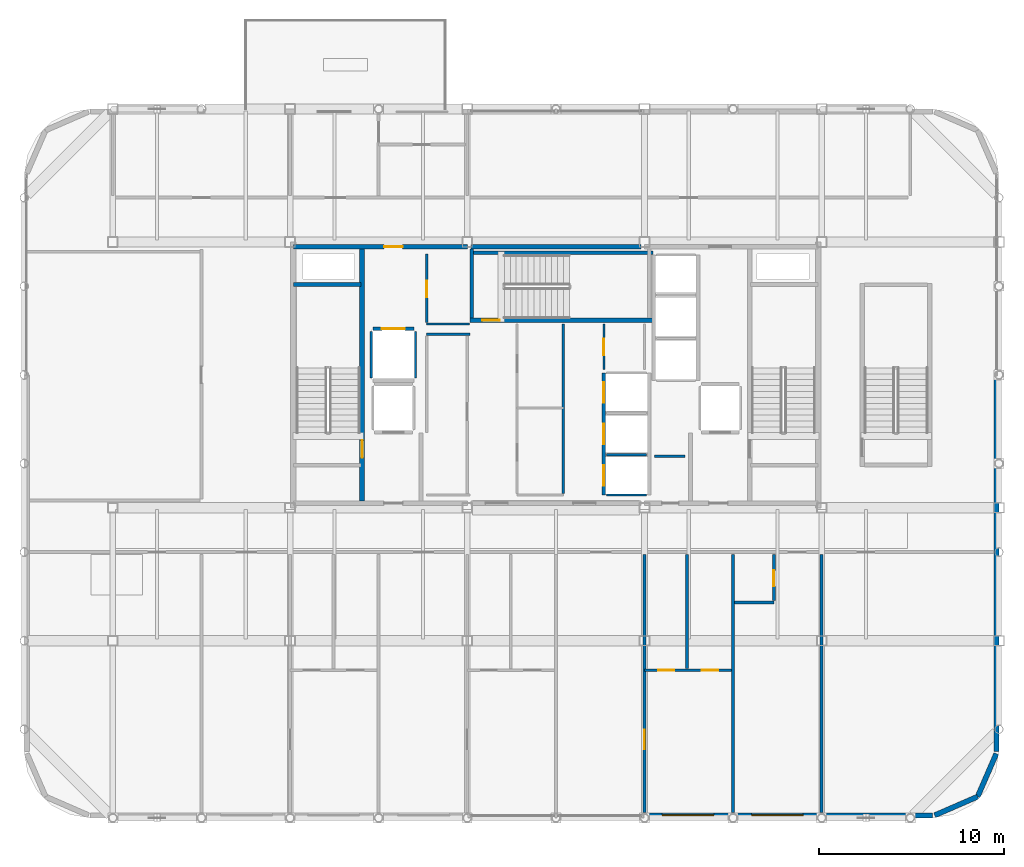
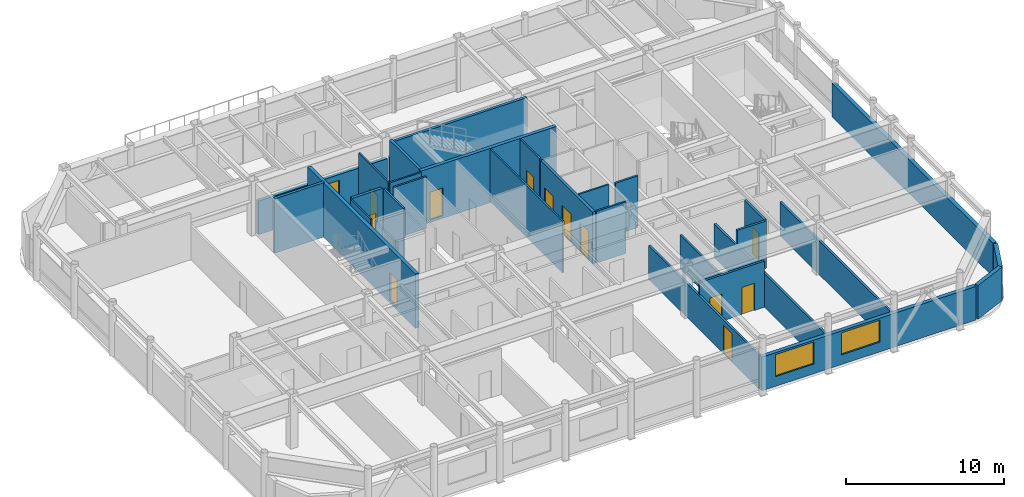
# One storey, part 18 of 23: 30 walls, 13 doors, 2 windows, 15 openings.
"""IFC4 building model written with IfcOpenShell, lengths in metres."""

from ifc_helpers import new_model, si_unit, direction, frame, frame_2d, origin, place, context, subcontext, project, spatial, rectangle, extrude, material, layer, layer_set, type_object, element, fill, save


model = new_model("IFC4")

# Units and contexts
model_context = context("Model", 3, precision=1e-05, world=origin(), true_north=direction((0.0, 1.0)))
body_context = subcontext(model_context, "Body", "Model", "MODEL_VIEW")
ifc_project = project(units=[si_unit("LENGTHUNIT", "METRE"), si_unit("AREAUNIT", "SQUARE_METRE"), si_unit("VOLUMEUNIT", "CUBIC_METRE"), si_unit("PLANEANGLEUNIT", "RADIAN"), si_unit("MASSUNIT", "GRAM", prefix="KILO")], contexts=[model_context])

# Site, building, storey
site_placement = place(None, origin())
site = spatial("IfcSite", under=ifc_project, at=site_placement, CompositionType="ELEMENT")
building_placement = place(site_placement, origin())
building = spatial("IfcBuilding", under=site, at=building_placement, Name="Kallvorn Hotel Tower", CompositionType="ELEMENT")
storey_placement = place(building_placement, frame((0.0, 0.0, 282.199951171875)))
storey = spatial("IfcBuildingStorey", under=building, at=storey_placement, Name="L70", CompositionType="ELEMENT", Elevation=282.199951171875)

# Wall, openings, doors
ifc_material_1 = material(Name="Fire-rated double-layer acoustic gypsum drywall EI 60")
ifc_layer_1 = layer(ifc_material_1, 0.159912109375)
ifc_layer_set_1 = layer_set([ifc_layer_1], Name="WL_DEMISE_160")
wall_type_1 = type_object("IfcWallType", Name="WL_DEMISE_160", PredefinedType="PARTITIONING", material=ifc_layer_set_1)
wall_1_placement = place(storey_placement, frame((4.800048828125, -16.0, 0.0), z_axis=(0.0, 0.0, 1.0), x_axis=(1.0, 0.0, 0.0)))
wall_1 = element("IfcWall", 1, at=wall_1_placement, inside=storey, type_object=wall_type_1, Name="L70 Suite 7003 Presidential Bedroom Partition", PredefinedType="PARTITIONING", context=body_context, shape_type="SweptSolid", body=[
    extrude(rectangle(XDim=4.719970703125, YDim=0.159912109375, at=frame_2d((2.35986328125, 0.0))), origin(), (0.0, 0.0, 1.0), 3.56005859375),
])
opening_1_placement = place(wall_1_placement, frame((0.75, 0.0, 0.0)))
opening_1 = element("IfcOpeningElement", 2, at=opening_1_placement, cuts=wall_1, Name="Opening BD-I", PredefinedType="OPENING", context=body_context, shape_type="SweptSolid", body=[
    extrude(rectangle(XDim=0.860107421875, YDim=2.10009765625, at=frame_2d((0.43017578125, 1.050048828125))), frame((0.0, 0.094970703125, 0.0), z_axis=(0.0, -1.0, 0.0), x_axis=(1.0, 0.0, 0.0)), (0.0, 0.0, 1.0), 0.18994140625),
])
opening_2_placement = place(wall_1_placement, frame((3.090087890625, 0.0, 0.0)))
opening_2 = element("IfcOpeningElement", 3, at=opening_2_placement, cuts=wall_1, Name="Opening SVD1", PredefinedType="OPENING", context=body_context, shape_type="SweptSolid", body=[
    extrude(rectangle(XDim=0.89990234375, YDim=2.10009765625, at=frame_2d((0.449951171875, 1.050048828125))), frame((0.0, 0.094970703125, 0.0), z_axis=(0.0, -1.0, 0.0), x_axis=(1.0, 0.0, 0.0)), (0.0, 0.0, 1.0), 0.18994140625),
])
ifc_material_2 = material(Name="Solid-core walnut veneer fire-rated timber door leaf", Category="wood")
door_type_1 = type_object("IfcDoorType", Name="DR_BATH_860x2100", OperationType="NOTDEFINED", PredefinedType="DOOR", material=ifc_material_2)
door_1_placement = place(opening_1_placement, origin())
door_1 = element("IfcDoor", 4, at=door_1_placement, inside=storey, type_object=door_type_1, Name="L70 Suite 7003 En-Suite Bathroom Door", OperationType="SINGLE_SWING_RIGHT", OverallHeight=2.10009765625, OverallWidth=0.860107421875, PredefinedType="DOOR", context=body_context, shape_type="SweptSolid", body=[
    extrude(rectangle(XDim=0.860107421875, YDim=2.10009765625, at=frame_2d((0.43017578125, 1.050048828125))), frame((0.0, 0.02490234375, 0.0), z_axis=(0.0, -1.0, 0.0), x_axis=(1.0, 0.0, 0.0)), (0.0, 0.0, 1.0), 0.050048828125),
])
fill(opening_1, door_1)
ifc_material_3 = material(Name="Galvanised painted steel fire-rated door assembly", Category="steel")
door_type_2 = type_object("IfcDoorType", Name="DR_SERV_900x2100", OperationType="NOTDEFINED", PredefinedType="DOOR", material=ifc_material_3)
door_2_placement = place(opening_2_placement, origin())
door_2 = element("IfcDoor", 5, at=door_2_placement, inside=storey, type_object=door_type_2, Name="L70 Suite 7003 Walk-In Dressing Closet Door", OperationType="SINGLE_SWING_LEFT", OverallHeight=2.10009765625, OverallWidth=0.89990234375, PredefinedType="DOOR", context=body_context, shape_type="SweptSolid", body=[
    extrude(rectangle(XDim=0.89990234375, YDim=2.10009765625, at=frame_2d((0.449951171875, 1.050048828125))), frame((0.0, 0.02490234375, 0.0), z_axis=(0.0, -1.0, 0.0), x_axis=(1.0, 0.0, 0.0)), (0.0, 0.0, 1.0), 0.050048828125),
])
fill(opening_2, door_2)

# Wall
wall_2_placement = place(storey_placement, frame((9.679931640625, -12.320068359375, 0.0), z_axis=(0.0, 0.0, 1.0), x_axis=(1.0, 0.0, 0.0)))
element("IfcWall", 6, at=wall_2_placement, inside=storey, type_object=wall_type_1, Name="L70 Suite 7004 Royal King Room Partition", PredefinedType="PARTITIONING", context=body_context, shape_type="SweptSolid", body=[
    extrude(rectangle(XDim=2.130126953125, YDim=0.159912109375, at=frame_2d((1.06494140625, 0.0))), origin(), (0.0, 0.0, 1.0), 3.64013671875),
])

# Wall, opening, door
wall_3_placement = place(storey_placement, frame((4.800048828125, -23.7099609375, 0.0), z_axis=(0.0, 0.0, 1.0), x_axis=(0.0, 1.0, 0.0)))
wall_3 = element("IfcWall", 7, at=wall_3_placement, inside=storey, type_object=wall_type_1, Name="L70 Suite 7003 Presidential Bedroom Partition", PredefinedType="PARTITIONING", context=body_context, shape_type="SweptSolid", body=[
    extrude(rectangle(XDim=13.989990234375, YDim=0.159912109375, at=frame_2d((6.9951171875, 0.0))), origin(), (0.0, 0.0, 1.0), 2.60009765625),
])
opening_3_placement = place(wall_3_placement, frame((3.43505859375, 0.0, 0.0)))
opening_3 = element("IfcOpeningElement", 8, at=opening_3_placement, cuts=wall_3, Name="Opening GD2", PredefinedType="OPENING", context=body_context, shape_type="SweptSolid", body=[
    extrude(rectangle(XDim=1.050048828125, YDim=2.199951171875, at=frame_2d((0.52490234375, 1.10009765625))), frame((0.0, 0.094970703125, 0.0), z_axis=(0.0, -1.0, 0.0), x_axis=(1.0, 0.0, 0.0)), (0.0, 0.0, 1.0), 0.18994140625),
])
ifc_material_4 = material(Name="Solid-core walnut veneer fire-rated timber door leaf", Category="wood")
door_type_3 = type_object("IfcDoorType", Name="DR_SUITE_1050x2200", OperationType="NOTDEFINED", PredefinedType="DOOR", material=ifc_material_4)
door_3_placement = place(opening_3_placement, origin())
door_3 = element("IfcDoor", 9, at=door_3_placement, inside=storey, type_object=door_type_3, Name="L70 Suite 7003 Presidential Bedroom Door", OperationType="SINGLE_SWING_LEFT", OverallHeight=2.199951171875, OverallWidth=1.050048828125, PredefinedType="DOOR", context=body_context, shape_type="SweptSolid", body=[
    extrude(rectangle(XDim=1.050048828125, YDim=2.199951171875, at=frame_2d((0.52490234375, 1.10009765625))), frame((0.0, 0.02490234375, 0.0), z_axis=(0.0, -1.0, 0.0), x_axis=(1.0, 0.0, 0.0)), (0.0, 0.0, 1.0), 0.050048828125),
])
fill(opening_3, door_3)

# Wall
wall_4_placement = place(storey_placement, frame((9.60009765625, -23.7099609375, 0.0), z_axis=(0.0, 0.0, 1.0), x_axis=(0.0, 1.0, 0.0)))
element("IfcWall", 10, at=wall_4_placement, inside=storey, type_object=wall_type_1, Name="L70 Suite 7003 Presidential Bedroom Partition", PredefinedType="PARTITIONING", context=body_context, shape_type="SweptSolid", body=[
    extrude(rectangle(XDim=13.989990234375, YDim=0.159912109375, at=frame_2d((6.9951171875, 0.0))), origin(), (0.0, 0.0, 1.0), 2.60009765625),
])

# Wall, opening, door
wall_5_placement = place(storey_placement, frame((11.81005859375, -12.235107421875, 0.0), z_axis=(0.0, 0.0, 1.0), x_axis=(0.0, 1.0, 0.0)))
wall_5 = element("IfcWall", 11, at=wall_5_placement, inside=storey, type_object=wall_type_1, Name="L70 Suite 7004 Royal King Room Partition", PredefinedType="PARTITIONING", context=body_context, shape_type="SweptSolid", body=[
    extrude(rectangle(XDim=2.51513671875, YDim=0.159912109375, at=frame_2d((1.257568359375, 0.0))), origin(), (0.0, 0.0, 1.0), 3.64013671875),
])
opening_4_placement = place(wall_5_placement, frame((0.784912109375, 0.0, 0.0)))
opening_4 = element("IfcOpeningElement", 12, at=opening_4_placement, cuts=wall_5, Name="Opening BD-I", PredefinedType="OPENING", context=body_context, shape_type="SweptSolid", body=[
    extrude(rectangle(XDim=0.860107421875, YDim=2.10009765625, at=frame_2d((0.43017578125, 1.050048828125))), frame((0.0, 0.094970703125, 0.0), z_axis=(0.0, -1.0, 0.0), x_axis=(1.0, 0.0, 0.0)), (0.0, 0.0, 1.0), 0.18994140625),
])
door_4_placement = place(opening_4_placement, origin())
door_4 = element("IfcDoor", 13, at=door_4_placement, inside=storey, type_object=door_type_1, Name="L70 Suite 7004 En-Suite Bathroom Door", OperationType="SINGLE_SWING_LEFT", OverallHeight=2.10009765625, OverallWidth=0.860107421875, PredefinedType="DOOR", context=body_context, shape_type="SweptSolid", body=[
    extrude(rectangle(XDim=0.860107421875, YDim=2.10009765625, at=frame_2d((0.43017578125, 1.050048828125))), frame((0.0, 0.02490234375, 0.0), z_axis=(0.0, -1.0, 0.0), x_axis=(1.0, 0.0, 0.0)), (0.0, 0.0, 1.0), 0.050048828125),
])
fill(opening_4, door_4)

# Walls
wall_6_placement = place(storey_placement, frame((14.39990234375, -23.7099609375, 0.0), z_axis=(0.0, 0.0, 1.0), x_axis=(0.0, 1.0, 0.0)))
element("IfcWall", 14, at=wall_6_placement, inside=storey, type_object=wall_type_1, Name="L70 Suite 7004 Royal King Room Partition", PredefinedType="PARTITIONING", context=body_context, shape_type="SweptSolid", body=[
    extrude(rectangle(XDim=13.989990234375, YDim=0.159912109375, at=frame_2d((6.9951171875, 0.0))), origin(), (0.0, 0.0, 1.0), 2.60009765625),
])
ifc_material_5 = material(Name="Precast basalt-clad insulated concrete wall C40/50", Category="masonry")
ifc_layer_2 = layer(ifc_material_5, 0.280029296875)
ifc_layer_set_2 = layer_set([ifc_layer_2], Name="WL_EXT_LOGGIA_280")
wall_type_2 = type_object("IfcWallType", Name="WL_EXT_LOGGIA_280", PredefinedType="SOLIDWALL", material=ifc_layer_set_2)
for number, where, z_axis, x_axis, name in (
    (15, (20.520751953125, -23.85791015625, 0.0), (0.0, 0.0, 1.0), (0.917076177656, 0.398712031894, 0.0), "L70 Rounded Corner Exterior Wall SE1"),
    (16, (22.8466796875, -22.8466796875, 0.0), (0.0, 0.0, 1.0), (0.398712031894, 0.917076177656, 0.0), "L70 Rounded Corner Exterior Wall SE2"),
):
    element("IfcWall", number, at=place(storey_placement, frame(where, z_axis=z_axis, x_axis=x_axis)), inside=storey, type_object=wall_type_2, Name=name, PredefinedType="SOLIDWALL", context=body_context, shape_type="SweptSolid", body=[
        extrude(rectangle(XDim=2.5361328125, YDim=0.280029296875, at=frame_2d((1.26806640625, 0.0))), origin(), (0.0, 0.0, 1.0), 2.60009765625),
    ])

# Wall, openings, windows
wall_7_placement = place(storey_placement, frame((4.75, -23.860107421875, 0.0), z_axis=(0.0, 0.0, 1.0), x_axis=(1.0, 0.0, 0.0)))
wall_7 = element("IfcWall", 17, at=wall_7_placement, inside=storey, type_object=wall_type_2, Name="L70 Exterior Envelope Wall EW-L70-SE", PredefinedType="SOLIDWALL", context=body_context, shape_type="SweptSolid", body=[
    extrude(rectangle(XDim=15.64990234375, YDim=0.280029296875, at=frame_2d((7.824951171875, 0.0))), origin(), (0.0, 0.0, 1.0), 2.60009765625),
])
opening_5_placement = place(wall_7_placement, frame((1.010009765625, 0.0, 0.75)))
opening_5 = element("IfcOpeningElement", 18, at=opening_5_placement, cuts=wall_7, Name="Opening W08A", PredefinedType="OPENING", context=body_context, shape_type="SweptSolid", body=[
    extrude(rectangle(XDim=2.800048828125, YDim=1.699951171875, at=frame_2d((1.39990234375, 0.85009765625))), frame((0.0, 0.155029296875, 0.0), z_axis=(0.0, -1.0, 0.0), x_axis=(1.0, 0.0, 0.0)), (0.0, 0.0, 1.0), 0.31005859375),
])
opening_6_placement = place(wall_7_placement, frame((5.85009765625, 0.0, 0.75)))
opening_6 = element("IfcOpeningElement", 19, at=opening_6_placement, cuts=wall_7, Name="Opening W08A", PredefinedType="OPENING", context=body_context, shape_type="SweptSolid", body=[
    extrude(rectangle(XDim=2.800048828125, YDim=1.699951171875, at=frame_2d((1.39990234375, 0.85009765625))), frame((0.0, 0.155029296875, 0.0), z_axis=(0.0, -1.0, 0.0), x_axis=(1.0, 0.0, 0.0)), (0.0, 0.0, 1.0), 0.31005859375),
])
ifc_material_6 = material(Name="Triple-glazed low-e acoustic solar-control dark glass", Category="glass")
window_type = type_object("IfcWindowType", Name="WN_SUM_2800x1700", PartitioningType="SINGLE_PANEL", PredefinedType="WINDOW", material=ifc_material_6)
window_1_placement = place(opening_5_placement, origin())
window_1 = element("IfcWindow", 20, at=window_1_placement, inside=storey, type_object=window_type, Name="L70 Guestroom Exterior Window 04", OverallHeight=1.699951171875, OverallWidth=2.800048828125, PartitioningType="SINGLE_PANEL", PredefinedType="WINDOW", context=body_context, shape_type="SweptSolid", body=[
    extrude(rectangle(XDim=2.800048828125, YDim=1.699951171875, at=frame_2d((1.39990234375, 0.85009765625))), frame((0.0, 0.030029296875, 0.0), z_axis=(0.0, -1.0, 0.0), x_axis=(1.0, 0.0, 0.0)), (0.0, 0.0, 1.0), 0.06005859375),
])
fill(opening_5, window_1)
window_2_placement = place(opening_6_placement, origin())
window_2 = element("IfcWindow", 21, at=window_2_placement, inside=storey, type_object=window_type, Name="L70 Guestroom Exterior Window 05", OverallHeight=1.699951171875, OverallWidth=2.800048828125, PartitioningType="SINGLE_PANEL", PredefinedType="WINDOW", context=body_context, shape_type="SweptSolid", body=[
    extrude(rectangle(XDim=2.800048828125, YDim=1.699951171875, at=frame_2d((1.39990234375, 0.85009765625))), frame((0.0, 0.030029296875, 0.0), z_axis=(0.0, -1.0, 0.0), x_axis=(1.0, 0.0, 0.0)), (0.0, 0.0, 1.0), 0.06005859375),
])
fill(opening_6, window_2)

# Walls
wall_8_placement = place(storey_placement, frame((23.860107421875, -20.39990234375, 0.0), z_axis=(0.0, 0.0, 1.0), x_axis=(0.0, 1.0, 0.0)))
element("IfcWall", 22, at=wall_8_placement, inside=storey, type_object=wall_type_2, Name="L70 Exterior Envelope Wall EW-L70-ES", PredefinedType="SOLIDWALL", context=body_context, shape_type="SweptSolid", body=[
    extrude(rectangle(XDim=20.3798828125, YDim=0.280029296875, at=frame_2d((10.18994140625, 0.0))), origin(), (0.0, 0.0, 1.0), 2.60009765625),
])
ifc_material_7 = material(Name="Concrete C40/50", Category="concrete")
ifc_layer_3 = layer(ifc_material_7, 0.199951171875)
ifc_layer_set_3 = layer_set([ifc_layer_3], Name="WL_HOIST_200")
wall_type_3 = type_object("IfcWallType", Name="WL_HOIST_200", PredefinedType="SOLIDWALL", material=ifc_layer_set_3)
wall_9_placement = place(storey_placement, frame((-14.199951171875, 4.89990234375, -0.199951171875), z_axis=(0.0, 0.0, 1.0), x_axis=(1.0, 0.0, 0.0)))
element("IfcWall", 23, at=wall_9_placement, inside=storey, type_object=wall_type_3, Name="L70 Stair ST1 North Wall", PredefinedType="SOLIDWALL", context=body_context, shape_type="SweptSolid", body=[
    extrude(rectangle(XDim=3.64990234375, YDim=0.199951171875, at=frame_2d((1.824951171875, 0.0))), origin(), (0.0, 0.0, 1.0), 4.199951171875),
])
wall_10_placement = place(storey_placement, frame((-4.64990234375, 6.610107421875, -0.199951171875), z_axis=(0.0, 0.0, 1.0), x_axis=(1.0, 0.0, 0.0)))
element("IfcWall", 24, at=wall_10_placement, inside=storey, type_object=wall_type_3, Name="L70 Stair ST3 Shaft North Wall", PredefinedType="SOLIDWALL", context=body_context, shape_type="SweptSolid", body=[
    extrude(rectangle(XDim=9.89990234375, YDim=0.199951171875, at=frame_2d((4.949951171875, 0.0))), origin(), (0.0, 0.0, 1.0), 4.199951171875),
])
wall_11_placement = place(storey_placement, frame((-4.550048828125, 3.080078125, -0.199951171875), z_axis=(0.0, 0.0, 1.0), x_axis=(0.0, 1.0, 0.0)))
element("IfcWall", 25, at=wall_11_placement, inside=storey, type_object=wall_type_3, Name="L70 Stair ST3 West Wall", PredefinedType="SOLIDWALL", context=body_context, shape_type="SweptSolid", body=[
    extrude(rectangle(XDim=3.739990234375, YDim=0.199951171875, at=frame_2d((1.8701171875, 0.0))), origin(), (0.0, 0.0, 1.0), 4.199951171875),
])

# Wall, openings, doors
wall_12_placement = place(storey_placement, frame((2.60009765625, -6.5, 0.0), z_axis=(0.0, 0.0, 1.0), x_axis=(0.0, 1.0, 0.0)))
wall_12 = element("IfcWall", 26, at=wall_12_placement, inside=storey, type_object=wall_type_3, Name="L70 Lift Bank B3A Landing Wall", PredefinedType="SOLIDWALL", context=body_context, shape_type="SweptSolid", body=[
    extrude(rectangle(XDim=6.60009765625, YDim=0.199951171875, at=frame_2d((3.300048828125, 0.0))), origin(), (0.0, 0.0, 1.0), 4.0),
])
opening_7_placement = place(wall_12_placement, frame((0.5, 0.0, 0.0)))
opening_7 = element("IfcOpeningElement", 27, at=opening_7_placement, cuts=wall_12, Name="Opening LD-PL-09", PredefinedType="OPENING", context=body_context, shape_type="SweptSolid", body=[
    extrude(rectangle(XDim=1.10009765625, YDim=2.199951171875, at=frame_2d((0.550048828125, 1.10009765625))), frame((0.0, 0.114990234375, 0.0), z_axis=(0.0, -1.0, 0.0), x_axis=(1.0, 0.0, 0.0)), (0.0, 0.0, 1.0), 0.22998046875),
])
opening_8_placement = place(wall_12_placement, frame((2.75, 0.0, 0.0)))
opening_8 = element("IfcOpeningElement", 28, at=opening_8_placement, cuts=wall_12, Name="Opening LD-PL-10", PredefinedType="OPENING", context=body_context, shape_type="SweptSolid", body=[
    extrude(rectangle(XDim=1.10009765625, YDim=2.199951171875, at=frame_2d((0.550048828125, 1.10009765625))), frame((0.0, 0.114990234375, 0.0), z_axis=(0.0, -1.0, 0.0), x_axis=(1.0, 0.0, 0.0)), (0.0, 0.0, 1.0), 0.22998046875),
])
opening_9_placement = place(wall_12_placement, frame((5.0, 0.0, 0.0)))
opening_9 = element("IfcOpeningElement", 29, at=opening_9_placement, cuts=wall_12, Name="Opening LD-PL-11", PredefinedType="OPENING", context=body_context, shape_type="SweptSolid", body=[
    extrude(rectangle(XDim=1.10009765625, YDim=2.199951171875, at=frame_2d((0.550048828125, 1.10009765625))), frame((0.0, 0.114990234375, 0.0), z_axis=(0.0, -1.0, 0.0), x_axis=(1.0, 0.0, 0.0)), (0.0, 0.0, 1.0), 0.22998046875),
])
ifc_material_8 = material(Name="Brushed stainless-steel automatic sliding lift landing door", Category="steel")
door_type_4 = type_object("IfcDoorType", Name="LD_PASS_1100x2200", OperationType="SLIDING_TO_LEFT", PredefinedType="DOOR", material=ifc_material_8)
door_5_placement = place(opening_7_placement, origin())
door_5 = element("IfcDoor", 30, at=door_5_placement, inside=storey, type_object=door_type_4, Name="L70 Lift Landing Sliding Door LD-PL-09", OperationType="SLIDING_TO_LEFT", OverallHeight=2.199951171875, OverallWidth=1.10009765625, PredefinedType="DOOR", context=body_context, shape_type="SweptSolid", body=[
    extrude(rectangle(XDim=1.10009765625, YDim=2.199951171875, at=frame_2d((0.550048828125, 1.10009765625))), frame((0.0, 0.02490234375, 0.0), z_axis=(0.0, -1.0, 0.0), x_axis=(1.0, 0.0, 0.0)), (0.0, 0.0, 1.0), 0.050048828125),
])
fill(opening_7, door_5)
door_6_placement = place(opening_8_placement, origin())
door_6 = element("IfcDoor", 31, at=door_6_placement, inside=storey, type_object=door_type_4, Name="L70 Lift Landing Sliding Door LD-PL-10", OperationType="SLIDING_TO_LEFT", OverallHeight=2.199951171875, OverallWidth=1.10009765625, PredefinedType="DOOR", context=body_context, shape_type="SweptSolid", body=[
    extrude(rectangle(XDim=1.10009765625, YDim=2.199951171875, at=frame_2d((0.550048828125, 1.10009765625))), frame((0.0, 0.02490234375, 0.0), z_axis=(0.0, -1.0, 0.0), x_axis=(1.0, 0.0, 0.0)), (0.0, 0.0, 1.0), 0.050048828125),
])
fill(opening_8, door_6)
door_7_placement = place(opening_9_placement, origin())
door_7 = element("IfcDoor", 32, at=door_7_placement, inside=storey, type_object=door_type_4, Name="L70 Lift Landing Sliding Door LD-PL-11", OperationType="SLIDING_TO_LEFT", OverallHeight=2.199951171875, OverallWidth=1.10009765625, PredefinedType="DOOR", context=body_context, shape_type="SweptSolid", body=[
    extrude(rectangle(XDim=1.10009765625, YDim=2.199951171875, at=frame_2d((0.550048828125, 1.10009765625))), frame((0.0, 0.02490234375, 0.0), z_axis=(0.0, -1.0, 0.0), x_axis=(1.0, 0.0, 0.0)), (0.0, 0.0, 1.0), 0.050048828125),
])
fill(opening_9, door_7)

# Wall, opening, door
wall_13_placement = place(storey_placement, frame((-9.919921875, 2.5, 0.0), z_axis=(0.0, 0.0, 1.0), x_axis=(1.0, 0.0, 0.0)))
wall_13 = element("IfcWall", 33, at=wall_13_placement, inside=storey, type_object=wall_type_3, Name="L70 SV-01 Landing Wall", PredefinedType="SOLIDWALL", context=body_context, shape_type="SweptSolid", body=[
    extrude(rectangle(XDim=2.239990234375, YDim=0.199951171875, at=frame_2d((1.1201171875, 0.0))), origin(), (0.0, 0.0, 1.0), 4.0),
])
opening_10_placement = place(wall_13_placement, frame((0.4951171875, 0.0, 0.0)))
opening_10 = element("IfcOpeningElement", 34, at=opening_10_placement, cuts=wall_13, Name="Opening LD-SV-01", PredefinedType="OPENING", context=body_context, shape_type="SweptSolid", body=[
    extrude(rectangle(XDim=1.25, YDim=2.25, at=frame_2d((0.625, 1.125))), frame((0.0, 0.114990234375, 0.0), z_axis=(0.0, -1.0, 0.0), x_axis=(1.0, 0.0, 0.0)), (0.0, 0.0, 1.0), 0.22998046875),
])
ifc_material_9 = material(Name="Brushed stainless-steel automatic sliding lift landing door", Category="steel")
door_type_5 = type_object("IfcDoorType", Name="LD_SERV_1250x2250", OperationType="SLIDING_TO_LEFT", PredefinedType="DOOR", material=ifc_material_9)
door_8_placement = place(opening_10_placement, origin())
door_8 = element("IfcDoor", 35, at=door_8_placement, inside=storey, type_object=door_type_5, Name="L70 Lift Landing Sliding Door LD-SV-01", OperationType="SLIDING_TO_LEFT", OverallHeight=2.25, OverallWidth=1.25, PredefinedType="DOOR", context=body_context, shape_type="SweptSolid", body=[
    extrude(rectangle(XDim=1.25, YDim=2.25, at=frame_2d((0.625, 1.125))), frame((0.0, 0.02490234375, 0.0), z_axis=(0.0, -1.0, 0.0), x_axis=(1.0, 0.0, 0.0)), (0.0, 0.0, 1.0), 0.050048828125),
])
fill(opening_10, door_8)

# Walls
ifc_material_10 = material(Name="Fire-rated double-layer acoustic gypsum drywall EI 60")
ifc_layer_4 = layer(ifc_material_10, 0.1201171875)
ifc_layer_set_4 = layer_set([ifc_layer_4], Name="WL_INT_120")
wall_type_4 = type_object("IfcWallType", Name="WL_INT_120", PredefinedType="PARTITIONING", material=ifc_layer_set_4)
for number, where, z_axis, x_axis, name in (
    (36, (2.739990234375, -6.5, 0.0), (0.0, 0.0, 1.0), (1.0, 0.0, 0.0), "L70 Lift Bank B3A South Closure Wall"),
    (37, (2.739990234375, -4.324951171875, 0.0), (0.0, 0.0, 1.0), (1.0, 0.0, 0.0), "L70 PL-09 Hoistway Divider"),
):
    element("IfcWall", number, at=place(storey_placement, frame(where, z_axis=z_axis, x_axis=x_axis)), inside=storey, type_object=wall_type_4, Name=name, PredefinedType="PARTITIONING", context=body_context, shape_type="SweptSolid", body=[
        extrude(rectangle(XDim=2.169921875, YDim=0.1201171875, at=frame_2d((1.0849609375, 0.0))), origin(), (0.0, 0.0, 1.0), 4.0),
    ])
for number, where, z_axis, x_axis, name in (
    (38, (-10.0, -0.159912109375, 0.0), (0.0, 0.0, 1.0), (0.0, 1.0, 0.0), "L70 SV-01 West Shaft Wall"),
    (39, (-7.60009765625, -0.159912109375, 0.0), (0.0, 0.0, 1.0), (0.0, 1.0, 0.0), "L70 SV-01 East Shaft Wall"),
):
    element("IfcWall", number, at=place(storey_placement, frame(where, z_axis=z_axis, x_axis=x_axis)), inside=storey, type_object=wall_type_4, Name=name, PredefinedType="PARTITIONING", context=body_context, shape_type="SweptSolid", body=[
        extrude(rectangle(XDim=2.52001953125, YDim=0.1201171875, at=frame_2d((1.260009765625, 0.0))), origin(), (0.0, 0.0, 1.0), 4.0),
    ])
wall_14_placement = place(storey_placement, frame((-7.0, 2.199951171875, 0.0), z_axis=(0.0, 0.0, 1.0), x_axis=(1.0, 0.0, 0.0)))
element("IfcWall", 40, at=wall_14_placement, inside=storey, type_object=wall_type_4, Name="L70 Recaptured Butler and Room-Service Pantry Partition", PredefinedType="PARTITIONING", context=body_context, shape_type="SweptSolid", body=[
    extrude(rectangle(XDim=2.35009765625, YDim=0.1201171875, at=frame_2d((1.175048828125, 0.0))), origin(), (0.0, 0.0, 1.0), 4.0),
])
wall_15_placement = place(storey_placement, frame((-7.0, 2.75, 0.0), z_axis=(0.0, 0.0, 1.0), x_axis=(1.0, 0.0, 0.0)))
element("IfcWall", 41, at=wall_15_placement, inside=storey, type_object=wall_type_4, Name="L70 Recaptured Valet and Linen Reserve Store Partition", PredefinedType="PARTITIONING", context=body_context, shape_type="SweptSolid", body=[
    extrude(rectangle(XDim=2.31005859375, YDim=0.1201171875, at=frame_2d((1.155029296875, 0.0))), origin(), (0.0, 0.0, 1.0), 4.0),
])

# Wall, opening, door
wall_16_placement = place(storey_placement, frame((-7.0, 2.8349609375, 0.0), z_axis=(0.0, 0.0, 1.0), x_axis=(0.0, 1.0, 0.0)))
wall_16 = element("IfcWall", 42, at=wall_16_placement, inside=storey, type_object=wall_type_4, Name="L70 Recaptured Valet and Linen Reserve Store Partition", PredefinedType="PARTITIONING", context=body_context, shape_type="SweptSolid", body=[
    extrude(rectangle(XDim=3.715087890625, YDim=0.1201171875, at=frame_2d((1.857421875, 0.0))), origin(), (0.0, 0.0, 1.0), 4.0),
])
opening_11_placement = place(wall_16_placement, frame((1.364990234375, 0.0, 0.0)))
opening_11 = element("IfcOpeningElement", 43, at=opening_11_placement, cuts=wall_16, Name="Opening SVD1", PredefinedType="OPENING", context=body_context, shape_type="SweptSolid", body=[
    extrude(rectangle(XDim=0.89990234375, YDim=2.10009765625, at=frame_2d((0.449951171875, 1.050048828125))), frame((0.0, 0.074951171875, 0.0), z_axis=(0.0, -1.0, 0.0), x_axis=(1.0, 0.0, 0.0)), (0.0, 0.0, 1.0), 0.150146484375),
])
door_9_placement = place(opening_11_placement, origin())
door_9 = element("IfcDoor", 44, at=door_9_placement, inside=storey, type_object=door_type_2, Name="L70 Recaptured Valet and Linen Reserve Store Door", OperationType="SINGLE_SWING_RIGHT", OverallHeight=2.10009765625, OverallWidth=0.89990234375, PredefinedType="DOOR", context=body_context, shape_type="SweptSolid", body=[
    extrude(rectangle(XDim=0.89990234375, YDim=2.10009765625, at=frame_2d((0.449951171875, 1.050048828125))), frame((0.0, 0.02490234375, 0.0), z_axis=(0.0, -1.0, 0.0), x_axis=(1.0, 0.0, 0.0)), (0.0, 0.0, 1.0), 0.050048828125),
])
fill(opening_11, door_9)

# Wall
wall_17_placement = place(storey_placement, frame((0.39990234375, -6.4150390625, 0.0), z_axis=(0.0, 0.0, 1.0), x_axis=(0.0, 1.0, 0.0)))
element("IfcWall", 45, at=wall_17_placement, inside=storey, type_object=wall_type_4, Name="L70 High-Zone Sommelier and Beverage Pantry Partition", PredefinedType="PARTITIONING", context=body_context, shape_type="SweptSolid", body=[
    extrude(rectangle(XDim=9.1650390625, YDim=0.1201171875, at=frame_2d((4.58251953125, 0.0))), origin(), (0.0, 0.0, 1.0), 4.0),
])

# Wall, opening, door
wall_18_placement = place(storey_placement, frame((2.60009765625, 0.300048828125, 0.0), z_axis=(0.0, 0.0, 1.0), x_axis=(0.0, 1.0, 0.0)))
wall_18 = element("IfcWall", 46, at=wall_18_placement, inside=storey, type_object=wall_type_4, Name="L70 East Core Janitor Room Partition", PredefinedType="PARTITIONING", context=body_context, shape_type="SweptSolid", body=[
    extrude(rectangle(XDim=2.449951171875, YDim=0.1201171875, at=frame_2d((1.22509765625, 0.0))), origin(), (0.0, 0.0, 1.0), 4.0),
])
opening_12_placement = place(wall_18_placement, frame((0.75, 0.0, 0.0)))
opening_12 = element("IfcOpeningElement", 47, at=opening_12_placement, cuts=wall_18, Name="Opening SVD1", PredefinedType="OPENING", context=body_context, shape_type="SweptSolid", body=[
    extrude(rectangle(XDim=0.89990234375, YDim=2.10009765625, at=frame_2d((0.449951171875, 1.050048828125))), frame((0.0, 0.074951171875, 0.0), z_axis=(0.0, -1.0, 0.0), x_axis=(1.0, 0.0, 0.0)), (0.0, 0.0, 1.0), 0.150146484375),
])
door_10_placement = place(opening_12_placement, origin())
door_10 = element("IfcDoor", 48, at=door_10_placement, inside=storey, type_object=door_type_2, Name="L70 East Core Janitor Room Door", OperationType="SINGLE_SWING_LEFT", OverallHeight=2.10009765625, OverallWidth=0.89990234375, PredefinedType="DOOR", context=body_context, shape_type="SweptSolid", body=[
    extrude(rectangle(XDim=0.89990234375, YDim=2.10009765625, at=frame_2d((0.449951171875, 1.050048828125))), frame((0.0, 0.02490234375, 0.0), z_axis=(0.0, -1.0, 0.0), x_axis=(1.0, 0.0, 0.0)), (0.0, 0.0, 1.0), 0.050048828125),
])
fill(opening_12, door_10)

# Walls
ifc_material_11 = material(Name="Fire-rated double-layer acoustic gypsum drywall EI 60")
ifc_layer_5 = layer(ifc_material_11, 0.14990234375)
ifc_layer_set_5 = layer_set([ifc_layer_5], Name="WL_PART_150")
wall_type_5 = type_object("IfcWallType", Name="WL_PART_150", PredefinedType="PARTITIONING", material=ifc_layer_set_5)
wall_19_placement = place(storey_placement, frame((7.106689453125, -15.9150390625, 0.0), z_axis=(0.0, 0.0, 1.0), x_axis=(0.0, 1.0, 0.0)))
element("IfcWall", 49, at=wall_19_placement, inside=storey, type_object=wall_type_5, Name="L70 Suite 7003 Walk-In Dressing Closet Partition", PredefinedType="PARTITIONING", context=body_context, shape_type="SweptSolid", body=[
    extrude(rectangle(XDim=6.195068359375, YDim=0.14990234375, at=frame_2d((3.09765625, 0.0))), origin(), (0.0, 0.0, 1.0), 2.60009765625),
])
ifc_material_12 = material(Name="Moisture-resistant acoustic plumbing chase wall EI 60")
ifc_layer_6 = layer(ifc_material_12, 0.139892578125)
ifc_layer_set_6 = layer_set([ifc_layer_6], Name="WL_PLUMB_140")
wall_type_6 = type_object("IfcWallType", Name="WL_PLUMB_140", PredefinedType="PLUMBINGWALL", material=ifc_layer_set_6)
wall_20_placement = place(storey_placement, frame((5.35009765625, -4.39990234375, 0.0), z_axis=(0.0, 0.0, 1.0), x_axis=(1.0, 0.0, 0.0)))
element("IfcWall", 50, at=wall_20_placement, inside=storey, type_object=wall_type_6, Name="L70 Core Staff Restroom WC Partition", PredefinedType="PLUMBINGWALL", context=body_context, shape_type="SweptSolid", body=[
    extrude(rectangle(XDim=1.64990234375, YDim=0.139892578125, at=frame_2d((0.824951171875, 0.0))), origin(), (0.0, 0.0, 1.0), 4.0),
])

# Wall, opening, door
ifc_material_13 = material(Name="Concrete C40/50", Category="concrete")
ifc_layer_7 = layer(ifc_material_13, 0.25)
ifc_layer_set_7 = layer_set([ifc_layer_7], Name="WL_SHAFT_250")
wall_type_7 = type_object("IfcWallType", Name="WL_SHAFT_250", PredefinedType="SOLIDWALL", material=ifc_layer_set_7)
wall_21_placement = place(storey_placement, frame((-14.199951171875, 6.949951171875, 0.0), z_axis=(0.0, 0.0, 1.0), x_axis=(1.0, 0.0, 0.0)))
wall_21 = element("IfcWall", 51, at=wall_21_placement, inside=storey, type_object=wall_type_7, Name="L70 Core North-West Wall", PredefinedType="SOLIDWALL", context=body_context, shape_type="SweptSolid", body=[
    extrude(rectangle(XDim=9.39990234375, YDim=0.25, at=frame_2d((4.699951171875, 0.0))), origin(), (0.0, 0.0, 1.0), 2.60009765625),
])
opening_13_placement = place(wall_21_placement, frame((4.89990234375, 0.0, 0.0)))
opening_13 = element("IfcOpeningElement", 52, at=opening_13_placement, cuts=wall_21, Name="Opening FD1", PredefinedType="OPENING", context=body_context, shape_type="SweptSolid", body=[
    extrude(rectangle(XDim=1.0, YDim=2.14990234375, at=frame_2d((0.5, 1.074951171875))), frame((0.0, 0.139892578125, 0.0), z_axis=(0.0, -1.0, 0.0), x_axis=(1.0, 0.0, 0.0)), (0.0, 0.0, 1.0), 0.280029296875),
])
ifc_material_14 = material(Name="Galvanised painted steel fire-rated door assembly", Category="steel")
door_type_6 = type_object("IfcDoorType", Name="DR_FFL_1000x2150", OperationType="NOTDEFINED", PredefinedType="DOOR", material=ifc_material_14)
door_11_placement = place(opening_13_placement, origin())
door_11 = element("IfcDoor", 53, at=door_11_placement, inside=storey, type_object=door_type_6, Name="L70 Service Lift Lobby Door", OperationType="SINGLE_SWING_RIGHT", OverallHeight=2.14990234375, OverallWidth=1.0, PredefinedType="DOOR", context=body_context, shape_type="SweptSolid", body=[
    extrude(rectangle(XDim=1.0, YDim=2.14990234375, at=frame_2d((0.5, 1.074951171875))), frame((0.0, 0.02490234375, 0.0), z_axis=(0.0, -1.0, 0.0), x_axis=(1.0, 0.0, 0.0)), (0.0, 0.0, 1.0), 0.050048828125),
])
fill(opening_13, door_11)

# Wall
wall_22_placement = place(storey_placement, frame((-4.60009765625, 6.949951171875, 0.0), z_axis=(0.0, 0.0, 1.0), x_axis=(1.0, 0.0, 0.0)))
element("IfcWall", 54, at=wall_22_placement, inside=storey, type_object=wall_type_7, Name="L70 Core North-Central Wall", PredefinedType="SOLIDWALL", context=body_context, shape_type="SweptSolid", body=[
    extrude(rectangle(XDim=9.2001953125, YDim=0.25, at=frame_2d((4.60009765625, 0.0))), origin(), (0.0, 0.0, 1.0), 2.60009765625),
])

# Wall, opening, door
wall_23_placement = place(storey_placement, frame((-10.5, -6.820068359375, -0.199951171875), z_axis=(0.0, 0.0, 1.0), x_axis=(0.0, 1.0, 0.0)))
wall_23 = element("IfcWall", 55, at=wall_23_placement, inside=storey, type_object=wall_type_7, Name="L70 Stair ST1 Shaft Wall", PredefinedType="SOLIDWALL", context=body_context, shape_type="SweptSolid", body=[
    extrude(rectangle(XDim=13.64013671875, YDim=0.25, at=frame_2d((6.820068359375, 0.0))), origin(), (0.0, 0.0, 1.0), 4.199951171875),
])
opening_14_placement = place(wall_23_placement, frame((2.320068359375, 0.0, 0.199951171875)))
opening_14 = element("IfcOpeningElement", 56, at=opening_14_placement, cuts=wall_23, Name="Opening SD1", PredefinedType="OPENING", context=body_context, shape_type="SweptSolid", body=[
    extrude(rectangle(XDim=0.949951171875, YDim=2.14990234375, at=frame_2d((0.47509765625, 1.074951171875))), frame((0.0, 0.139892578125, 0.0), z_axis=(0.0, -1.0, 0.0), x_axis=(1.0, 0.0, 0.0)), (0.0, 0.0, 1.0), 0.280029296875),
])
ifc_material_15 = material(Name="Galvanised painted steel fire-rated door assembly", Category="steel")
door_type_7 = type_object("IfcDoorType", Name="DR_STAIR_950x2150", OperationType="NOTDEFINED", PredefinedType="DOOR", material=ifc_material_15)
door_12_placement = place(opening_14_placement, origin())
door_12 = element("IfcDoor", 57, at=door_12_placement, inside=storey, type_object=door_type_7, Name="L70 Exit Stair ST1 Fire Door", OperationType="SINGLE_SWING_LEFT", OverallHeight=2.14990234375, OverallWidth=0.949951171875, PredefinedType="DOOR", context=body_context, shape_type="SweptSolid", body=[
    extrude(rectangle(XDim=0.949951171875, YDim=2.14990234375, at=frame_2d((0.47509765625, 1.074951171875))), frame((0.0, 0.02490234375, 0.0), z_axis=(0.0, -1.0, 0.0), x_axis=(1.0, 0.0, 0.0)), (0.0, 0.0, 1.0), 0.050048828125),
])
fill(opening_14, door_12)

wall_24_placement = place(storey_placement, frame((-4.64990234375, 2.949951171875, -0.199951171875), z_axis=(0.0, 0.0, 1.0), x_axis=(1.0, 0.0, 0.0)))
wall_24 = element("IfcWall", 58, at=wall_24_placement, inside=storey, type_object=wall_type_7, Name="L70 Stair ST3 Shaft South Wall", PredefinedType="SOLIDWALL", context=body_context, shape_type="SweptSolid", body=[
    extrude(rectangle(XDim=9.89990234375, YDim=0.25, at=frame_2d((4.949951171875, 0.0))), origin(), (0.0, 0.0, 1.0), 4.199951171875),
])
opening_15_placement = place(wall_24_placement, frame((0.64990234375, 0.0, 0.199951171875)))
opening_15 = element("IfcOpeningElement", 59, at=opening_15_placement, cuts=wall_24, Name="Opening SD1", PredefinedType="OPENING", context=body_context, shape_type="SweptSolid", body=[
    extrude(rectangle(XDim=0.949951171875, YDim=2.14990234375, at=frame_2d((0.47509765625, 1.074951171875))), frame((0.0, 0.139892578125, 0.0), z_axis=(0.0, -1.0, 0.0), x_axis=(1.0, 0.0, 0.0)), (0.0, 0.0, 1.0), 0.280029296875),
])
door_13_placement = place(opening_15_placement, origin())
door_13 = element("IfcDoor", 60, at=door_13_placement, inside=storey, type_object=door_type_7, Name="L70 Exit Stair ST3 Fire Door", OperationType="SINGLE_SWING_RIGHT", OverallHeight=2.14990234375, OverallWidth=0.949951171875, PredefinedType="DOOR", context=body_context, shape_type="SweptSolid", body=[
    extrude(rectangle(XDim=0.949951171875, YDim=2.14990234375, at=frame_2d((0.47509765625, 1.074951171875))), frame((0.0, 0.02490234375, 0.0), z_axis=(0.0, -1.0, 0.0), x_axis=(1.0, 0.0, 0.0)), (0.0, 0.0, 1.0), 0.050048828125),
])
fill(opening_15, door_13)

save(model, "model.ifc")
